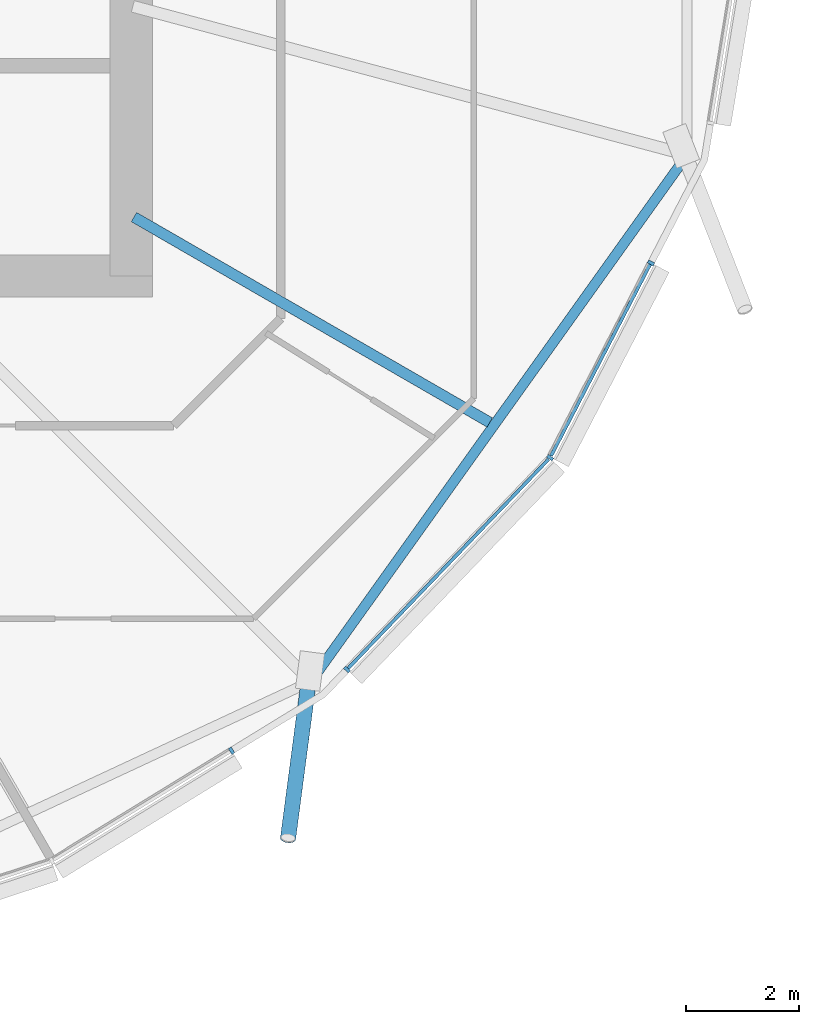
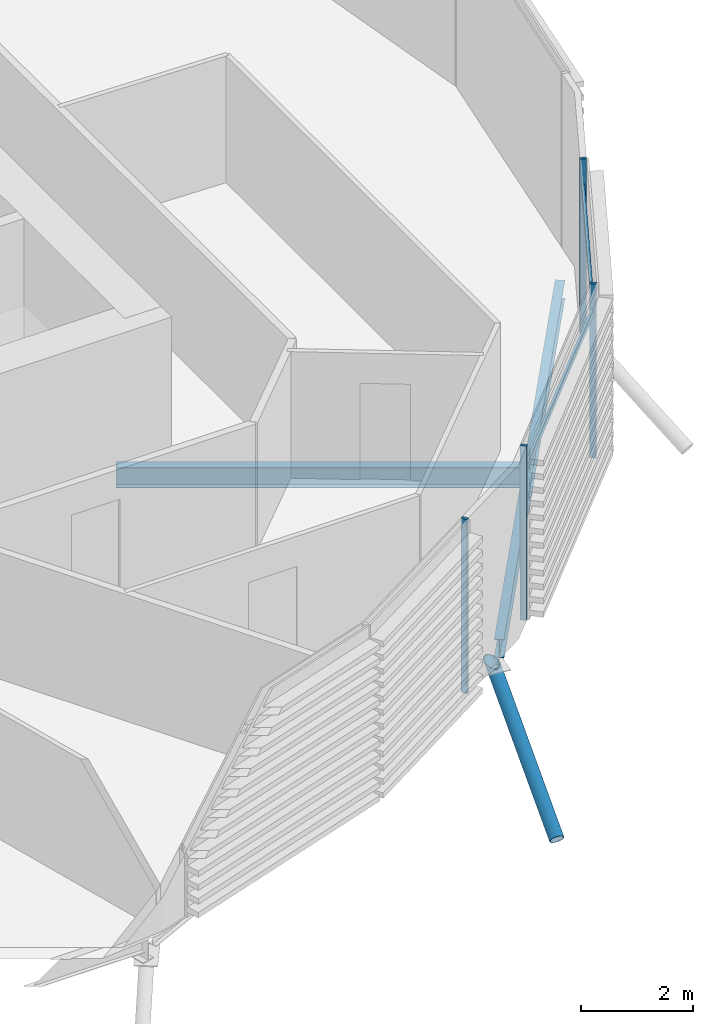
# One storey, part 6 of 38: 7 members, 2 beams, 1 element without a shape of its own.
"""IFC4 building model written with IfcOpenShell, lengths in metres."""

import ifcopenshell
import ifcopenshell.guid

model = None  # the IFC model being written
_history = None  # IfcOwnerHistory: only IFC2X3 demands one
_inside = {}  # id of a spatial element -> (the spatial element, [elements in it])
_under = {}  # id of a project, library or spatial element -> (it, [spatial elements below it])
_declared = {}  # id of a project -> (the project, [libraries it declares])
_typed = {}  # id of a type object -> (the type object, [elements of that type])
_made_of = {}  # id of a material, layer set ... -> (it, [elements and type objects made of it])


def new_model(schema):
    """Start an empty IFC model of exactly this schema.

    Asked for "IFC4X3", IfcOpenShell would pick the latest addendum, in which some entities
    have other attributes; the version numbers below select the first issue.
    IFC2X3 requires an IfcOwnerHistory on every rooted entity: one is made here for all.
    """
    global model, _history
    if schema == "IFC4X3":
        model = ifcopenshell.file(schema_version=(4, 3, 0, 0))
    else:
        model = ifcopenshell.file(schema=schema)
    _inside.clear()
    _under.clear()
    _declared.clear()
    _typed.clear()
    _made_of.clear()
    _history = None
    if model.schema == "IFC2X3":
        org = make("IfcOrganization", Name="unknown")
        user = make(
            "IfcPersonAndOrganization",
            ThePerson=make("IfcPerson", FamilyName="unknown"),
            TheOrganization=org,
        )
        app = make(
            "IfcApplication",
            ApplicationDeveloper=org,
            Version="unknown",
            ApplicationFullName="unknown",
            ApplicationIdentifier="unknown",
        )
        _history = make(
            "IfcOwnerHistory",
            OwningUser=user,
            OwningApplication=app,
            ChangeAction="ADDED",
            CreationDate=0,
        )
    return model


def make(cls, **values):
    """One entity of the class cls with the attributes given. An attribute that is None is left unset."""
    return model.create_entity(
        cls, **{name: value for name, value in values.items() if value is not None}
    )


def rooted(cls, **values):
    """An entity with a GlobalId (a new one), such as an element, a storey or a relation."""
    return make(cls, GlobalId=ifcopenshell.guid.new(), OwnerHistory=_history, **values)


def si_unit(unit_type, name, prefix=None):
    """IfcSIUnit, for example si_unit("LENGTHUNIT", "METRE", prefix="MILLI")."""
    return make("IfcSIUnit", UnitType=unit_type, Prefix=prefix, Name=name)


def assignment(units):
    """IfcUnitAssignment: the units of a project."""
    return None if units is None else make("IfcUnitAssignment", Units=units)


def point(xyz):
    """IfcCartesianPoint."""
    return None if xyz is None else make("IfcCartesianPoint", Coordinates=xyz)


def direction(xyz):
    """IfcDirection."""
    return None if xyz is None else make("IfcDirection", DirectionRatios=xyz)


def frame(location, z_axis=None, x_axis=None):
    """IfcAxis2Placement3D, a coordinate frame: its origin and axes. An axis left out is left unset."""
    return make(
        "IfcAxis2Placement3D",
        Location=point(location),
        Axis=direction(z_axis),
        RefDirection=direction(x_axis),
    )


def frame_2d(location, x_axis=None):
    """IfcAxis2Placement2D, a coordinate frame in the plane: its origin and x axis."""
    return make(
        "IfcAxis2Placement2D", Location=point(location), RefDirection=direction(x_axis)
    )


def origin():
    """The frame at (0, 0, 0) with its axes left unset."""
    return frame((0.0, 0.0, 0.0))


def origin_2d():
    """The frame at (0, 0) in the plane with its x axis left unset."""
    return frame_2d((0.0, 0.0))


def place(relative_to, where):
    """IfcLocalPlacement: puts the frame where relative to a parent placement (None: the world)."""
    return make(
        "IfcLocalPlacement", PlacementRelTo=relative_to, RelativePlacement=where
    )


def context(
    kind, dimensions, precision=None, world=None, true_north=None, identifier=None
):
    """IfcGeometricRepresentationContext, for example the 3D "Model" context."""
    return make(
        "IfcGeometricRepresentationContext",
        ContextIdentifier=identifier,
        ContextType=kind,
        CoordinateSpaceDimension=dimensions,
        Precision=precision,
        WorldCoordinateSystem=world,
        TrueNorth=true_north,
    )


def subcontext(parent, identifier, kind, view, scale=None):
    """IfcGeometricRepresentationSubContext, for example "Body" below "Model"."""
    return make(
        "IfcGeometricRepresentationSubContext",
        ContextIdentifier=identifier,
        ContextType=kind,
        ParentContext=parent,
        TargetScale=scale,
        TargetView=view,
    )


def project(units=None, contexts=None):
    """IfcProject with its units and contexts."""
    return rooted(
        "IfcProject",
        Name="project",
        RepresentationContexts=contexts,
        UnitsInContext=assignment(units),
    )


def spatial(cls, under=None, at=None, **own):
    """A site, building, storey or space (cls), placed at a placement, below another one or the project."""
    s = rooted(cls, ObjectPlacement=at, **own)
    if under is not None:
        _under.setdefault(under.id(), (under, []))[1].append(s)
    return s


def profile(cls, at=None, kind="AREA", **sizes):
    """A parametric profile (cls). Its sizes go by their IFC names, for example OverallWidth=200.0."""
    return make(cls, ProfileType=kind, Position=at, **sizes)


def rectangle(**sizes):
    """IfcRectangleProfileDef."""
    return profile("IfcRectangleProfileDef", **sizes)


def hollow_circle(**sizes):
    """IfcCircleHollowProfileDef."""
    return profile("IfcCircleHollowProfileDef", **sizes)


def i_section(**sizes):
    """IfcIShapeProfileDef."""
    return profile("IfcIShapeProfileDef", **sizes)


def extrude(swept, where, along, depth):
    """IfcExtrudedAreaSolid: the profile swept, set in the frame where, extruded along a direction by depth."""
    return make(
        "IfcExtrudedAreaSolid",
        SweptArea=swept,
        Position=where,
        ExtrudedDirection=direction(along),
        Depth=depth,
    )


def clip(a, b, op="DIFFERENCE"):
    """IfcBooleanClippingResult: the solid a cut by the half space b."""
    return make(
        "IfcBooleanClippingResult", Operator=op, FirstOperand=a, SecondOperand=b
    )


def halfspace(plane, agree):
    """IfcHalfSpaceSolid: all space on one side of the plane z = 0 of the frame plane."""
    return make(
        "IfcHalfSpaceSolid",
        BaseSurface=make("IfcPlane", Position=plane),
        AgreementFlag=agree,
    )


def shape(context_of_items, identifier, shape_type, items):
    """IfcShapeRepresentation: the items that make up one representation, for example the "Body"."""
    return make(
        "IfcShapeRepresentation",
        ContextOfItems=context_of_items,
        RepresentationIdentifier=identifier,
        RepresentationType=shape_type,
        Items=items,
    )


def material(Name=None, Category=None):
    """IfcMaterial."""
    return make("IfcMaterial", Name=Name, Category=Category)


def material_profile(
    of_material, cross_section, Name=None, Category=None, Priority=None
):
    """IfcMaterialProfile: a cross section and its material."""
    return make(
        "IfcMaterialProfile",
        Name=Name,
        Material=of_material,
        Profile=cross_section,
        Priority=Priority,
        Category=Category,
    )


def profile_set(profiles, Name=None, composite=None):
    """IfcMaterialProfileSet."""
    return make(
        "IfcMaterialProfileSet",
        Name=Name,
        MaterialProfiles=profiles,
        CompositeProfile=composite,
    )


def made_of(thing, what):
    """Note that an element or type object is made of a material, layer set ...; save() writes the relation."""
    if what is not None:
        _made_of.setdefault(what.id(), (what, []))[1].append(thing)
    return thing


def type_object(cls, material=None, **own):
    """A type object (cls), such as IfcWallType, which elements share."""
    return made_of(rooted(cls, **own), material)


def element(
    cls,
    number,
    at=None,
    inside=None,
    cuts=None,
    type_object=None,
    material=None,
    context=None,
    identifier="Body",
    shape_type=None,
    held_by="IfcProductDefinitionShape",
    body=None,
    shapes=None,
    **own,
):
    """One element of the class cls, such as IfcWall. Its Tag is "e" and its number.

    at: its placement. inside: the storey or other place that contains it. cuts: it is an
    opening in that element (IfcRelVoidsElement). A single representation is given by context,
    identifier, shape_type and body (its items); several are given by shapes. held_by: the class
    of the entity that holds the representations. save() writes the other relations.
    """
    e = rooted(cls, Tag="e%d" % number, ObjectPlacement=at, **own)
    if body is not None:
        shapes = [shape(context, identifier, shape_type, body)]
    if shapes is not None:
        e.Representation = make(held_by, Representations=shapes)
    if inside is not None:
        _inside.setdefault(inside.id(), (inside, []))[1].append(e)
    if cuts is not None:
        rooted(
            "IfcRelVoidsElement", RelatingBuildingElement=cuts, RelatedOpeningElement=e
        )
    if type_object is not None:
        _typed.setdefault(type_object.id(), (type_object, []))[1].append(e)
    return made_of(e, material)


def aggregate(whole, parts):
    """IfcRelAggregates: a whole, such as a stair, and the parts it consists of."""
    return rooted("IfcRelAggregates", RelatingObject=whole, RelatedObjects=parts)


def save(model, path):
    """Write the relations noted so far, then the file.

    IfcRelAggregates (storeys below a building ...), IfcRelContainedInSpatialStructure (elements
    in a storey), IfcRelDefinesByType, IfcRelAssociatesMaterial and IfcRelDeclares: one each for
    every whole, place, type object, material and project.
    """
    for whole, parts in _under.values():
        aggregate(whole, parts)
    for where, things in _inside.values():
        rooted(
            "IfcRelContainedInSpatialStructure",
            RelatedElements=things,
            RelatingStructure=where,
        )
    for kind, things in _typed.values():
        rooted("IfcRelDefinesByType", RelatedObjects=things, RelatingType=kind)
    for what, things in _made_of.values():
        rooted("IfcRelAssociatesMaterial", RelatedObjects=things, RelatingMaterial=what)
    for by, libraries in _declared.values():
        rooted("IfcRelDeclares", RelatingContext=by, RelatedDefinitions=libraries)
    model.write(path)


model = new_model("IFC4")

# Units and contexts
model_context = context("Model", 3, precision=1e-05, world=origin(), true_north=direction((0.0, 1.0)))
body_context = subcontext(model_context, "Body", "Model", "MODEL_VIEW")
ifc_project = project(units=[si_unit("LENGTHUNIT", "METRE"), si_unit("AREAUNIT", "SQUARE_METRE"), si_unit("VOLUMEUNIT", "CUBIC_METRE"), si_unit("PLANEANGLEUNIT", "RADIAN"), si_unit("MASSUNIT", "GRAM", prefix="KILO")], contexts=[model_context])

# Site, building, storey
site_placement = place(None, origin())
site = spatial("IfcSite", under=ifc_project, at=site_placement, CompositionType="ELEMENT")
building_placement = place(site_placement, origin())
building = spatial("IfcBuilding", under=site, at=building_placement, Name="Rimbun Link Towers", CompositionType="ELEMENT")
storey_placement = place(building_placement, frame((0.0, 0.0, 123.39990234375)))
storey = spatial("IfcBuildingStorey", under=building, at=storey_placement, Name="L30", CompositionType="ELEMENT", Elevation=123.39990234375)

# Curtain wall, members
ifc_material_1 = material(Name="Aluminium 6063-T6 and low-iron glass", Category="aluminium")
curtain_wall_type = type_object("IfcCurtainWallType", Name="CW1-Z2 unitised vision wall (zone 2)", PredefinedType="NOTDEFINED", material=ifc_material_1)
curtain_wall_placement = place(storey_placement, origin())
curtain_wall = element("IfcCurtainWall", 1, at=curtain_wall_placement, inside=storey, type_object=curtain_wall_type, Name="CW1 L30 T1", PredefinedType="NOTDEFINED")
ifc_material_2 = material(Name="Aluminium 6063-T6", Category="aluminium")
ifc_material_profile_1 = material_profile(ifc_material_2, rectangle(XDim=0.1201171875, YDim=0.06005859375, at=origin_2d()), Name="MULLION 60X120")
ifc_profile_set_1 = profile_set([ifc_material_profile_1], Name="Aluminium 6063-T6")
member_type_1 = type_object("IfcMemberType", Name="CW1 mullion 60X120", PredefinedType="MULLION", material=ifc_profile_set_1)
member_1_placement = place(storey_placement, frame((-17.97216796875, -16.410888671875, 0.0), z_axis=(0.0, 0.0, 1.0), x_axis=(0.523243332621, -0.852183322336, 0.0)))
member_1 = element("IfcMember", 2, at=member_1_placement, type_object=member_type_1, Name="CW1 mullion", PredefinedType="MULLION", context=body_context, shape_type="SweptSolid", body=[
    extrude(rectangle(XDim=0.1201171875, YDim=0.06005859375, at=origin_2d()), origin(), (0.0, 0.0, 1.0), 3.800048828125),
])
member_2_placement = place(storey_placement, frame((-12.32763671875, -11.22021484375, 0.0), z_axis=(0.0, 0.0, 1.0), x_axis=(0.813347990418, -0.581777488807, 0.0)))
member_2 = element("IfcMember", 3, at=member_2_placement, type_object=member_type_1, Name="CW1 mullion", PredefinedType="MULLION", context=body_context, shape_type="SweptSolid", body=[
    extrude(rectangle(XDim=0.1201171875, YDim=0.06005859375, at=origin_2d()), origin(), (0.0, 0.0, 1.0), 3.800048828125),
])
member_3_placement = place(storey_placement, frame((-15.92578125, -14.97412109375, 0.0), z_axis=(0.0, 0.0, 1.0), x_axis=(0.721834717261, -0.692065488922, 0.0)))
member_3 = element("IfcMember", 4, at=member_3_placement, type_object=member_type_1, Name="CW1 mullion", PredefinedType="MULLION", context=body_context, shape_type="SweptSolid", body=[
    extrude(rectangle(XDim=0.1201171875, YDim=0.06005859375, at=origin_2d()), origin(), (0.0, 0.0, 1.0), 3.800048828125),
])
member_4_placement = place(storey_placement, frame((-10.54150390625, -7.769287109375, 0.0), z_axis=(0.0, 0.0, 1.0), x_axis=(0.888156623203, -0.459540871589, 0.0)))
member_4 = element("IfcMember", 5, at=member_4_placement, type_object=member_type_1, Name="CW1 mullion", PredefinedType="MULLION", context=body_context, shape_type="SweptSolid", body=[
    extrude(rectangle(XDim=0.1201171875, YDim=0.06005859375, at=origin_2d()), origin(), (0.0, 0.0, 1.0), 3.800048828125),
])
ifc_material_3 = material(Name="Aluminium 6063-T6", Category="aluminium")
ifc_material_profile_2 = material_profile(ifc_material_3, rectangle(XDim=0.06005859375, YDim=0.1201171875, at=origin_2d()), Name="TRANSOM 60X120")
ifc_profile_set_2 = profile_set([ifc_material_profile_2], Name="Aluminium 6063-T6")
member_type_2 = type_object("IfcMemberType", Name="CW1 transom 60X120", PredefinedType="USERDEFINED", material=ifc_profile_set_2)
member_5_placement = place(storey_placement, frame((-12.35546875, -11.2470703125, 3.2001953125), z_axis=(-0.692057260801, -0.721842605955, 0.0), x_axis=(0.721842605955, -0.692057260801, 0.0)))
member_5 = element("IfcMember", 6, at=member_5_placement, type_object=member_type_2, Name="CW1 transom", ObjectType="TRANSOM", PredefinedType="USERDEFINED", context=body_context, shape_type="SweptSolid", body=[
    extrude(rectangle(XDim=0.06005859375, YDim=0.1201171875, at=origin_2d()), origin(), (0.0, 0.0, 1.0), 5.131103515625),
])
member_6_placement = place(storey_placement, frame((-10.55712890625, -7.794921875, 3.2001953125), z_axis=(-0.459527309955, -0.888163639993, 0.0), x_axis=(0.888163639993, -0.459527309955, 0.0)))
member_6 = element("IfcMember", 7, at=member_6_placement, type_object=member_type_2, Name="CW1 transom", ObjectType="TRANSOM", PredefinedType="USERDEFINED", context=body_context, shape_type="SweptSolid", body=[
    extrude(rectangle(XDim=0.06005859375, YDim=0.1201171875, at=origin_2d()), origin(), (0.0, 0.0, 1.0), 3.8173828125),
])
aggregate(curtain_wall, [member_1, member_2, member_3, member_4, member_5, member_6])

# Member
ifc_material_4 = material(Name="Steel S355J2H", Category="steel")
ifc_material_profile_3 = material_profile(ifc_material_4, hollow_circle(Radius=0.136474609375, WallThickness=0.012451171875, at=origin_2d()), Name="CHS 273x12.5")
ifc_profile_set_3 = profile_set([ifc_material_profile_3], Name="Steel S355J2H")
member_type_3 = type_object("IfcMemberType", Name="Floor edge link CHS 273x12.5", PredefinedType="BRACE", material=ifc_profile_set_3)
member_7_placement = place(storey_placement, frame((-16.6015625, -15.1484375, -0.808349609375), z_axis=(-0.110090822151, -0.837313540695, -0.535524084843), x_axis=(0.991466851249, -0.13035905367, 0.0)))
element("IfcMember", 8, at=member_7_placement, inside=storey, type_object=member_type_3, Name="Floor edge link T1 L30 21", PredefinedType="BRACE", context=body_context, shape_type="Clipping", body=[
    clip(extrude(hollow_circle(Radius=0.136474609375, WallThickness=0.012451171875, at=origin_2d()), frame((0.0, 0.0, -0.44921875)), (0.0, 0.0, 1.0), 3.81787109375), halfspace(frame((0.0, 0.0, -0.211669921875), z_axis=(0.0, 0.844519955095, -0.535524084843)), False)),
])

# Beams
ifc_material_5 = material(Name="Steel S355J2", Category="steel")
ifc_material_profile_4 = material_profile(ifc_material_5, i_section(OverallWidth=0.177978515625, OverallDepth=0.406494140625, WebThickness=0.0078125, FlangeThickness=0.0126953125, at=origin_2d()), Name="UB 406x178x60")
ifc_profile_set_4 = profile_set([ifc_material_profile_4], Name="Steel S355J2")
beam_type_1 = type_object("IfcBeamType", Name="UB 406x178x60", PredefinedType="BEAM", material=ifc_profile_set_4)
beam_1_placement = place(storey_placement, frame((-16.50390625, -15.0966796875, -0.363037109375), z_axis=(0.581400410141, 0.813617577913, 0.0), x_axis=(-0.813617577913, 0.581400410141, 0.0)))
element("IfcBeam", 9, at=beam_1_placement, inside=storey, type_object=beam_type_1, Name="Edge beam T1 L30 21-23", PredefinedType="BEAM", context=body_context, shape_type="SweptSolid", body=[
    extrude(i_section(OverallWidth=0.177978515625, OverallDepth=0.406494140625, WebThickness=0.0078125, FlangeThickness=0.0126953125, at=origin_2d()), origin(), (0.0, 0.0, 1.0), 11.246337890625),
])
ifc_material_6 = material(Name="Steel S355J2", Category="steel")
ifc_material_profile_5 = material_profile(ifc_material_6, i_section(OverallWidth=0.18994140625, OverallDepth=0.453369140625, WebThickness=0.008544921875, FlangeThickness=0.0126953125, at=origin_2d()), Name="UB 457x191x67")
ifc_profile_set_5 = profile_set([ifc_material_profile_5], Name="Steel S355J2")
beam_type_2 = type_object("IfcBeamType", Name="UB 457x191x67", PredefinedType="BEAM", material=ifc_profile_set_5)
beam_2_placement = place(storey_placement, frame((-19.70166015625, -6.9560546875, -0.38671875), z_axis=(0.866028075408, -0.499995372584, 0.0), x_axis=(0.499995372584, 0.866028075408, 0.0)))
element("IfcBeam", 10, at=beam_2_placement, inside=storey, type_object=beam_type_2, Name="Radial beam T1 L30 22", PredefinedType="BEAM", context=body_context, shape_type="SweptSolid", body=[
    extrude(i_section(OverallWidth=0.18994140625, OverallDepth=0.453369140625, WebThickness=0.008544921875, FlangeThickness=0.0126953125, at=origin_2d()), origin(), (0.0, 0.0, 1.0), 7.27880859375),
])

save(model, "model.ifc")
